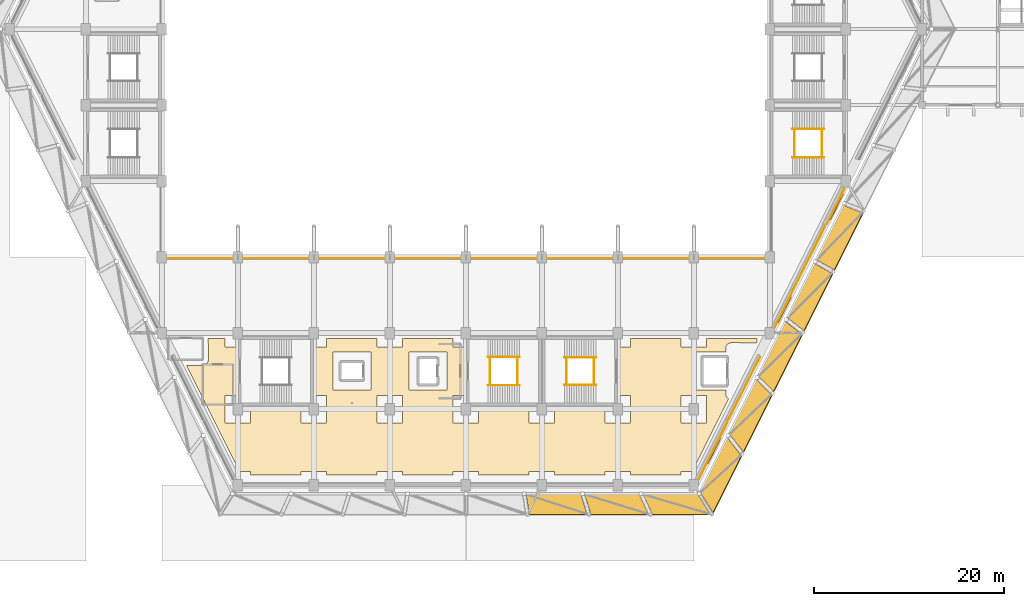
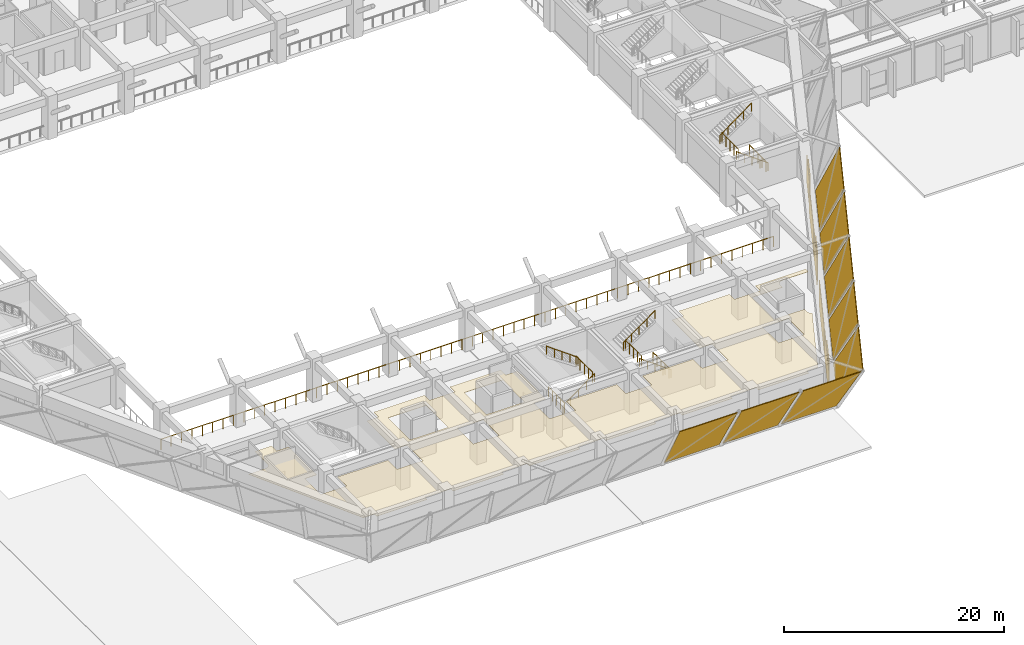
# One storey, part 42 of 46: 14 coverings, 13 railings, 3 shading devices.
"""IFC4 building model written with IfcOpenShell, lengths in metres."""

from ifc_helpers import new_model, si_unit, direction, frame, origin, origin_2d, place, context, subcontext, project, spatial, polyline, rectangle, circle, outline, extrude, material, layer, layer_set, type_object, element, save


model = new_model("IFC4")

# Units and contexts
model_context = context("Model", 3, precision=1e-05, world=origin(), true_north=direction((0.0, 1.0)))
body_context = subcontext(model_context, "Body", "Model", "MODEL_VIEW")
ifc_project = project(units=[si_unit("LENGTHUNIT", "METRE"), si_unit("AREAUNIT", "SQUARE_METRE"), si_unit("VOLUMEUNIT", "CUBIC_METRE"), si_unit("PLANEANGLEUNIT", "RADIAN"), si_unit("MASSUNIT", "GRAM", prefix="KILO")], contexts=[model_context])

# Site, building, storey
site_placement = place(None, origin())
site = spatial("IfcSite", under=ifc_project, at=site_placement, CompositionType="ELEMENT")
building_placement = place(site_placement, origin())
building = spatial("IfcBuilding", under=site, at=building_placement, Name="Tazarka Park Arena", CompositionType="ELEMENT")
storey_placement = place(building_placement, frame((0.0, 0.0, 10.199951171875)))
storey = spatial("IfcBuildingStorey", under=building, at=storey_placement, Name="L02", CompositionType="ELEMENT", Elevation=10.199951171875)

# Coverings
ifc_material_1 = material(Name="Dark ribbed perforated bronze-charcoal aluminium mesh", Category="aluminium")
ifc_layer_1 = layer(ifc_material_1, 0.06005859375, Name="Dark ribbed perforated bronze-charcoal aluminium mesh")
ifc_layer_set_1 = layer_set([ifc_layer_1], Name="Dark ribbed perforated bronze-charcoal aluminium mesh")
covering_type_1 = type_object("IfcCoveringType", Name="CLD-01", PredefinedType="CLADDING", material=ifc_layer_set_1)
covering_1_placement = place(storey_placement, frame((94.33544921875, 15.10009765625, 0.150146484375), z_axis=(0.0, 0.903917504801, 0.427706844128), x_axis=(1.0, 0.0, 0.0)))
element("IfcCovering", 1, at=covering_1_placement, inside=storey, type_object=covering_type_1, Name="Folded Gem Lower Ribbed Mesh Facet 006", PredefinedType="CLADDING", context=body_context, shape_type="SweptSolid", body=[
    extrude(outline(polyline([(0.0, 0.0), (5.746337890625, 0.0), (6.4150390625, -5.144166717706446), (0.350830078125, -5.144166717706446), (0.0, 0.0)])), origin(), (0.0, 0.0, -1.0), 0.080078125),
])
covering_2_placement = place(storey_placement, frame((100.474609375, 15.10009765625, 0.150146484375), z_axis=(0.0, 0.903917504801, 0.427706844128), x_axis=(1.0, 0.0, 0.0)))
element("IfcCovering", 2, at=covering_2_placement, inside=storey, type_object=covering_type_1, Name="Folded Gem Lower Ribbed Mesh Facet 007", PredefinedType="CLADDING", context=body_context, shape_type="SweptSolid", body=[
    extrude(outline(polyline([(0.0, 0.0), (5.74609375, 0.0), (6.7548828125, -5.144166717706446), (0.690673828125, -5.144166717706446), (0.0, 0.0)])), origin(), (0.0, 0.0, -1.0), 0.080078125),
])
covering_3_placement = place(storey_placement, frame((106.613525390625, 15.10009765625, 0.150146484375), z_axis=(0.0, 0.903917504801, 0.427706844128), x_axis=(1.0, 0.0, 0.0)))
element("IfcCovering", 3, at=covering_3_placement, inside=storey, type_object=covering_type_1, Name="Folded Gem Lower Ribbed Mesh Facet 008", PredefinedType="CLADDING", context=body_context, shape_type="SweptSolid", body=[
    extrude(outline(polyline([(0.0, 0.0), (5.746337890625, 0.0), (7.094970703125, -5.144166717706446), (1.03076171875, -5.144166717706446), (0.0, 0.0)])), origin(), (0.0, 0.0, -1.0), 0.080078125),
])
covering_4_placement = place(storey_placement, frame((112.654052734375, 15.295654296875, 0.150146484375), z_axis=(-0.808506336195, 0.404253168098, 0.427664448388), x_axis=(0.4472135955, 0.894427191, 0.0)))
element("IfcCovering", 4, at=covering_4_placement, inside=storey, type_object=covering_type_1, Name="Folded Gem Lower Ribbed Mesh Facet 009", PredefinedType="CLADDING", context=body_context, shape_type="SweptSolid", body=[
    extrude(outline(polyline([(0.0, 0.0), (6.3964864483313075, 0.0), (5.334354159018908, -5.144052564035382), (-1.3498295120034132, -5.144052564035382), (0.0, 0.0)])), origin(), (0.0, 0.0, -1.0), 0.080078125),
])
covering_5_placement = place(storey_placement, frame((115.710205078125, 21.408203125, 0.150146484375), z_axis=(-0.808499205731, 0.404241167467, 0.427689271384), x_axis=(0.447207495508, 0.894430240964, 3.226851e-06)))
element("IfcCovering", 5, at=covering_5_placement, inside=storey, type_object=covering_type_1, Name="Folded Gem Lower Ribbed Mesh Facet 010", PredefinedType="CLADDING", context=body_context, shape_type="SweptSolid", body=[
    extrude(outline(polyline([(0.0, 0.0), (6.396486448149249, 0.0), (5.642031872099142, -5.144099258496368), (-1.0423701654909792, -5.144145954896959), (0.0, 0.0)])), origin(), (0.0, 0.0, -1.0), 0.080078125),
])
covering_6_placement = place(storey_placement, frame((118.7666015625, 27.5205078125, 0.150146484375), z_axis=(-0.808506336195, 0.404253168098, 0.427664448388), x_axis=(0.447210803265, 0.894428587087, -6.598426e-06)))
element("IfcCovering", 6, at=covering_6_placement, inside=storey, type_object=covering_type_1, Name="Folded Gem Lower Ribbed Mesh Facet 011", PredefinedType="CLADDING", context=body_context, shape_type="SweptSolid", body=[
    extrude(outline(polyline([(0.0, 0.0), (6.39670481451516, -2.220446049250313e-16), (5.949562851922514, -5.144095993884062), (-0.7349483676010086, -5.144000505618074), (0.0, 0.0)])), origin(), (0.0, 0.0, -1.0), 0.080078125),
])
covering_7_placement = place(storey_placement, frame((121.82275390625, 33.633056640625, 0.150146484375), z_axis=(-0.808506063498, 0.404236161161, 0.427681039207), x_axis=(0.447198603137, 0.894434687024, -1.45126e-07)))
element("IfcCovering", 7, at=covering_7_placement, inside=storey, type_object=covering_type_1, Name="Folded Gem Lower Ribbed Mesh Facet 012", PredefinedType="CLADDING", context=body_context, shape_type="SweptSolid", body=[
    extrude(outline(polyline([(0.0, 0.0), (6.39670481527617, 0.0), (6.256913015069454, -5.144098238337329), (-0.4274890228573095, -5.144096138167544), (0.0, 0.0)])), origin(), (0.0, 0.0, -1.0), 0.080078125),
])
covering_8_placement = place(storey_placement, frame((124.87890625, 39.74560546875, 0.150146484375), z_axis=(-0.80849196679, 0.404254418718, 0.427690430782), x_axis=(0.44722528058, 0.894421348309, 9.970868e-06)))
element("IfcCovering", 8, at=covering_8_placement, inside=storey, type_object=covering_type_1, Name="Folded Gem Lower Ribbed Mesh Facet 013", PredefinedType="CLADDING", context=body_context, shape_type="SweptSolid", body=[
    extrude(outline(polyline([(0.0, 0.0), (6.39659563332699, 0.0), (6.564485018893392, -5.144050111201226), (-0.11991701581323079, -5.144194402880329), (0.0, 0.0)])), origin(), (0.0, 0.0, -1.0), 0.080078125),
])
covering_9_placement = place(storey_placement, frame((126.92236328125, 45.319091796875, 0.0), z_axis=(0.0, 0.0, 1.0), x_axis=(-0.447290848419, -0.89438856037, 0.0)))
element("IfcCovering", 9, at=covering_9_placement, inside=storey, type_object=covering_type_1, Name="Ribbed Metal Mesh Cladding EW-L02-0255", PredefinedType="CLADDING", context=body_context, shape_type="SweptSolid", body=[
    extrude(rectangle(XDim=4.16259765625, YDim=0.06005859375, at=origin_2d()), origin(), (0.0, 0.0, 1.0), 3.0),
])
covering_10_placement = place(storey_placement, frame((124.152099609375, 39.924072265625, 0.0), z_axis=(0.0, 0.0, 1.0), x_axis=(-0.447290848419, -0.89438856037, 0.0)))
element("IfcCovering", 10, at=covering_10_placement, inside=storey, type_object=covering_type_1, Name="Ribbed Metal Mesh Cladding EW-L02-0256", PredefinedType="CLADDING", context=body_context, shape_type="SweptSolid", body=[
    extrude(rectangle(XDim=7.36669921875, YDim=0.06005859375, at=origin_2d()), origin(), (0.0, 0.0, 1.0), 3.0),
])
covering_11_placement = place(storey_placement, frame((121.44873046875, 34.4951171875, 0.0), z_axis=(0.0, 0.0, 1.0), x_axis=(-0.447290848419, -0.89438856037, 0.0)))
element("IfcCovering", 11, at=covering_11_placement, inside=storey, type_object=covering_type_1, Name="Ribbed Metal Mesh Cladding EW-L02-0257", PredefinedType="CLADDING", context=body_context, shape_type="SweptSolid", body=[
    extrude(rectangle(XDim=4.16259765625, YDim=0.06005859375, at=origin_2d()), origin(), (0.0, 0.0, 1.0), 3.0),
])
covering_12_placement = place(storey_placement, frame((117.312744140625, 26.20068359375, 0.0), z_axis=(0.0, 0.0, 1.0), x_axis=(-0.447290848419, -0.89438856037, 0.0)))
element("IfcCovering", 12, at=covering_12_placement, inside=storey, type_object=covering_type_1, Name="Ribbed Metal Mesh Cladding EW-L02-0258", PredefinedType="CLADDING", context=body_context, shape_type="SweptSolid", body=[
    extrude(rectangle(XDim=7.366455078125, YDim=0.06005859375, at=origin_2d()), origin(), (0.0, 0.0, 1.0), 3.0),
])
covering_13_placement = place(storey_placement, frame((114.0380859375, 19.629150390625, 0.0), z_axis=(0.0, 0.0, 1.0), x_axis=(-0.447290848419, -0.89438856037, 0.0)))
element("IfcCovering", 13, at=covering_13_placement, inside=storey, type_object=covering_type_1, Name="Ribbed Metal Mesh Cladding EW-L02-0259", PredefinedType="CLADDING", context=body_context, shape_type="SweptSolid", body=[
    extrude(rectangle(XDim=6.718017578125, YDim=0.06005859375, at=origin_2d()), origin(), (0.0, 0.0, 1.0), 3.0),
])
ifc_material_2 = material(Name="Perforated acoustic mineral-wool ceiling tile")
ifc_layer_2 = layer(ifc_material_2, 0.0400390625, Name="Perforated acoustic mineral-wool ceiling tile")
ifc_layer_set_2 = layer_set([ifc_layer_2], Name="Perforated acoustic mineral-wool ceiling tile")
covering_type_2 = type_object("IfcCoveringType", Name="CLG-01", PredefinedType="CEILING", material=ifc_layer_set_2)
covering_14_placement = place(storey_placement, frame((0.0, 0.0, 3.10009765625)))
element("IfcCovering", 14, at=covering_14_placement, inside=storey, type_object=covering_type_2, Name="Acoustic Ceiling South Parkside VIP Hospitality Suites 9", PredefinedType="CEILING", context=body_context, shape_type="SweptSolid", body=[
    extrude(outline(polyline([(62.64990234375, 31.449951171875), (62.64990234375, 30.550048828125), (63.89990234375, 30.550048828125), (63.89990234375, 25.449951171875), (62.64990234375, 25.449951171875), (62.64990234375, 22.550048828125), (65.35009765625, 22.550048828125), (65.35009765625, 24.199951171875), (70.64990234375, 24.199951171875), (70.64990234375, 22.550048828125), (73.35009765625, 22.550048828125), (73.35009765625, 25.449951171875), (72.10009765625, 25.449951171875), (72.10009765625, 30.550048828125), (73.35009765625, 30.550048828125), (73.35009765625, 31.449951171875), (78.64990234375, 31.449951171875), (78.64990234375, 30.550048828125), (81.35009765625, 30.550048828125), (81.35009765625, 31.449951171875), (86.64990234375, 31.449951171875), (86.64990234375, 30.550048828125), (87.89990234375, 30.550048828125), (87.89990234375, 25.449951171875), (86.64990234375, 25.449951171875), (86.64990234375, 22.550048828125), (89.35009765625, 22.550048828125), (89.35009765625, 24.199951171875), (94.64990234375, 24.199951171875), (94.64990234375, 22.550048828125), (97.35009765625, 22.550048828125), (97.35009765625, 24.199951171875), (102.64990234375, 24.199951171875), (102.64990234375, 22.550048828125), (105.35009765625, 22.550048828125), (105.35009765625, 25.449951171875), (104.10009765625, 25.449951171875), (104.10009765625, 30.550048828125), (105.35009765625, 30.550048828125), (105.35009765625, 31.449951171875), (110.64990234375, 31.449951171875), (110.64990234375, 30.550048828125), (113.35009765625, 30.550048828125), (113.35009765625, 31.449951171875), (118.64990234375, 31.449951171875), (118.64990234375, 31.0888671875), (118.59375, 30.9765625), (115.952392578125, 30.989990234375), (115.91162109375, 30.98828125), (115.87109375, 30.98291015625), (115.8310546875, 30.97412109375), (115.792236328125, 30.96142578125), (115.754638671875, 30.9453125), (115.71875, 30.926025390625), (115.59521484375, 30.85205078125), (115.556884765625, 30.826171875), (115.521240234375, 30.796630859375), (115.489013671875, 30.763671875), (115.460205078125, 30.727294921875), (115.435302734375, 30.6884765625), (115.41455078125, 30.647216796875), (115.398193359375, 30.60400390625), (115.38623046875, 30.559326171875), (115.37890625, 30.513671875), (115.37646484375, 30.467529296875), (115.375, 30.0), (112.199951171875, 30.0), (112.199951171875, 26.0), (115.362060546875, 26.0), (115.360595703125, 25.587890625), (115.36279296875, 25.543212890625), (115.369140625, 25.499267578125), (115.3798828125, 25.4560546875), (115.39501953125, 25.4140625), (115.426025390625, 25.339111328125), (115.44677734375, 25.2958984375), (115.4716796875, 25.255126953125), (115.5009765625, 25.21728515625), (115.5341796875, 25.182861328125), (115.57080078125, 25.152099609375), (115.6103515625, 25.125244140625), (115.65478515625, 25.0986328125), (111.83056640625, 17.449951171875), (110.64990234375, 17.449951171875), (110.64990234375, 17.050048828125), (105.35009765625, 17.050048828125), (105.35009765625, 17.449951171875), (102.64990234375, 17.449951171875), (102.64990234375, 17.050048828125), (97.35009765625, 17.050048828125), (97.35009765625, 17.449951171875), (94.64990234375, 17.449951171875), (94.64990234375, 17.050048828125), (89.35009765625, 17.050048828125), (89.35009765625, 17.449951171875), (86.64990234375, 17.449951171875), (86.64990234375, 17.050048828125), (81.35009765625, 17.050048828125), (81.35009765625, 17.449951171875), (78.64990234375, 17.449951171875), (78.64990234375, 17.050048828125), (73.35009765625, 17.050048828125), (73.35009765625, 17.449951171875), (70.64990234375, 17.449951171875), (70.64990234375, 17.050048828125), (65.35009765625, 17.050048828125), (65.35009765625, 17.449951171875), (64.16943359375, 17.449951171875), (58.58935546875, 28.610107421875), (60.300048828125, 28.610107421875), (60.343994140625, 28.6123046875), (60.3876953125, 28.61865234375), (60.4306640625, 28.62939453125), (60.47216796875, 28.644287109375), (60.5712890625, 28.685302734375), (60.611083984375, 28.7041015625), (60.64892578125, 28.726806640625), (60.6845703125, 28.753173828125), (60.71728515625, 28.78271484375), (60.746826171875, 28.8154296875), (60.773193359375, 28.85107421875), (60.7958984375, 28.888916015625), (60.814697265625, 28.9287109375), (60.855712890625, 29.02783203125), (60.870849609375, 29.070068359375), (60.881591796875, 29.11376953125), (60.88818359375, 29.158203125), (60.889892578125, 29.203125), (60.874267578125, 31.449951171875), (62.64990234375, 31.449951171875)]), holes=[polyline([(81.35009765625, 25.449951171875), (78.64990234375, 25.449951171875), (78.64990234375, 22.550048828125), (81.35009765625, 22.550048828125), (81.35009765625, 25.449951171875)]), polyline([(86.0, 30.0), (82.0, 30.0), (82.0, 26.0), (86.0, 26.0), (86.0, 30.0)]), polyline([(74.0, 30.0), (74.0, 26.0), (78.0, 26.0), (78.0, 30.0), (74.0, 30.0)]), polyline([(113.35009765625, 25.449951171875), (110.64990234375, 25.449951171875), (110.64990234375, 22.550048828125), (113.35009765625, 22.550048828125), (113.35009765625, 25.449951171875)])]), origin(), (0.0, 0.0, 1.0), 0.0400390625),
])

# Railings
ifc_material_3 = material(Name="Brushed architectural stainless steel", Category="steel")
railing_type_1 = type_object("IfcRailingType", Name="HR-01", PredefinedType="HANDRAIL", material=ifc_material_3)
railing_1_placement = place(storey_placement, frame((101.68505859375, 26.550048828125, 0.0)))
element("IfcRailing", 15, at=railing_1_placement, inside=storey, type_object=railing_type_1, Name="Stair Handrail ST11-L02-F1", PredefinedType="HANDRAIL", context=body_context, shape_type="SweptSolid", body=[
    extrude(circle(Radius=0.02392578125, at=origin_2d()), frame((0.0, 0.0, 0.89599609375), z_axis=(-0.809980229442, 0.0, 0.586457183359), x_axis=(0.0, -1.0, 0.0)), (0.0, 0.0, 1.0), 4.092529296875),
    extrude(circle(Radius=0.02099609375, at=origin_2d()), origin(), (0.0, 0.0, 1.0), 0.871826171875),
    extrude(circle(Radius=0.02099609375, at=origin_2d()), frame((-0.82861328125, 0.0, 0.60009765625)), (0.0, 0.0, 1.0), 0.871826171875),
    extrude(circle(Radius=0.02099609375, at=origin_2d()), frame((-1.657470703125, 0.0, 1.2001953125)), (0.0, 0.0, 1.0), 0.871826171875),
    extrude(circle(Radius=0.02099609375, at=origin_2d()), frame((-2.486328125, 0.0, 1.800048828125)), (0.0, 0.0, 1.0), 0.871826171875),
    extrude(circle(Radius=0.02099609375, at=origin_2d()), frame((-3.31494140625, 0.0, 2.400146484375)), (0.0, 0.0, 1.0), 0.871826171875),
])
railing_2_placement = place(storey_placement, frame((98.3701171875, 29.449951171875, 2.400146484375)))
element("IfcRailing", 16, at=railing_2_placement, inside=storey, type_object=railing_type_1, Name="Stair Handrail ST11-L02-F2", PredefinedType="HANDRAIL", context=body_context, shape_type="SweptSolid", body=[
    extrude(circle(Radius=0.02392578125, at=origin_2d()), frame((0.0, 0.0, 0.89599609375), z_axis=(0.810008566192, 0.0, 0.586418044312), x_axis=(0.0, 1.0, 0.0)), (0.0, 0.0, 1.0), 4.092529296875),
    extrude(circle(Radius=0.02099609375, at=origin_2d()), origin(), (0.0, 0.0, 1.0), 0.871826171875),
    extrude(circle(Radius=0.02099609375, at=origin_2d()), frame((0.82861328125, 0.0, 0.60009765625)), (0.0, 0.0, 1.0), 0.871826171875),
    extrude(circle(Radius=0.02099609375, at=origin_2d()), frame((1.657470703125, 0.0, 1.199951171875)), (0.0, 0.0, 1.0), 0.871826171875),
    extrude(circle(Radius=0.02099609375, at=origin_2d()), frame((2.486328125, 0.0, 1.7998046875)), (0.0, 0.0, 1.0), 0.871826171875),
    extrude(circle(Radius=0.02099609375, at=origin_2d()), frame((3.31494140625, 0.0, 2.39990234375)), (0.0, 0.0, 1.0), 0.871826171875),
])
railing_3_placement = place(storey_placement, frame((125.68505859375, 50.510009765625, 0.0)))
element("IfcRailing", 17, at=railing_3_placement, inside=storey, type_object=railing_type_1, Name="Stair Handrail ST21-L02-F1", PredefinedType="HANDRAIL", context=body_context, shape_type="SweptSolid", body=[
    extrude(circle(Radius=0.02392578125, at=origin_2d()), frame((0.0, 0.0, 0.89599609375), z_axis=(-0.809980229442, 0.0, 0.586457183359), x_axis=(0.0, -1.0, 0.0)), (0.0, 0.0, 1.0), 4.092529296875),
    extrude(circle(Radius=0.02099609375, at=origin_2d()), origin(), (0.0, 0.0, 1.0), 0.871826171875),
    extrude(circle(Radius=0.02099609375, at=origin_2d()), frame((-0.82861328125, 0.0, 0.60009765625)), (0.0, 0.0, 1.0), 0.871826171875),
    extrude(circle(Radius=0.02099609375, at=origin_2d()), frame((-1.657470703125, 0.0, 1.2001953125)), (0.0, 0.0, 1.0), 0.871826171875),
    extrude(circle(Radius=0.02099609375, at=origin_2d()), frame((-2.486328125, 0.0, 1.800048828125)), (0.0, 0.0, 1.0), 0.871826171875),
    extrude(circle(Radius=0.02099609375, at=origin_2d()), frame((-3.31494140625, 0.0, 2.400146484375)), (0.0, 0.0, 1.0), 0.871826171875),
])
railing_4_placement = place(storey_placement, frame((122.3701171875, 53.489990234375, 2.400146484375)))
element("IfcRailing", 18, at=railing_4_placement, inside=storey, type_object=railing_type_1, Name="Stair Handrail ST21-L02-F2", PredefinedType="HANDRAIL", context=body_context, shape_type="SweptSolid", body=[
    extrude(circle(Radius=0.02392578125, at=origin_2d()), frame((0.0, 0.0, 0.89599609375), z_axis=(0.810008566192, 0.0, 0.586418044312), x_axis=(0.0, 1.0, 0.0)), (0.0, 0.0, 1.0), 4.092529296875),
    extrude(circle(Radius=0.02099609375, at=origin_2d()), origin(), (0.0, 0.0, 1.0), 0.871826171875),
    extrude(circle(Radius=0.02099609375, at=origin_2d()), frame((0.82861328125, 0.0, 0.60009765625)), (0.0, 0.0, 1.0), 0.871826171875),
    extrude(circle(Radius=0.02099609375, at=origin_2d()), frame((1.657470703125, 0.0, 1.199951171875)), (0.0, 0.0, 1.0), 0.871826171875),
    extrude(circle(Radius=0.02099609375, at=origin_2d()), frame((2.486328125, 0.0, 1.7998046875)), (0.0, 0.0, 1.0), 0.871826171875),
    extrude(circle(Radius=0.02099609375, at=origin_2d()), frame((3.31494140625, 0.0, 2.39990234375)), (0.0, 0.0, 1.0), 0.871826171875),
])
railing_5_placement = place(storey_placement, frame((90.31494140625, 26.510009765625, 0.0)))
element("IfcRailing", 19, at=railing_5_placement, inside=storey, type_object=railing_type_1, Name="Stair Handrail ST23-L02-F1", PredefinedType="HANDRAIL", context=body_context, shape_type="SweptSolid", body=[
    extrude(circle(Radius=0.02392578125, at=origin_2d()), frame((0.0, 0.0, 0.89599609375), z_axis=(0.809980229442, 0.0, 0.586457183359), x_axis=(0.0, 1.0, 0.0)), (0.0, 0.0, 1.0), 4.092529296875),
    extrude(circle(Radius=0.02099609375, at=origin_2d()), origin(), (0.0, 0.0, 1.0), 0.871826171875),
    extrude(circle(Radius=0.02099609375, at=origin_2d()), frame((0.82861328125, 0.0, 0.60009765625)), (0.0, 0.0, 1.0), 0.871826171875),
    extrude(circle(Radius=0.02099609375, at=origin_2d()), frame((1.657470703125, 0.0, 1.2001953125)), (0.0, 0.0, 1.0), 0.871826171875),
    extrude(circle(Radius=0.02099609375, at=origin_2d()), frame((2.486328125, 0.0, 1.800048828125)), (0.0, 0.0, 1.0), 0.871826171875),
    extrude(circle(Radius=0.02099609375, at=origin_2d()), frame((3.31494140625, 0.0, 2.400146484375)), (0.0, 0.0, 1.0), 0.871826171875),
])
railing_6_placement = place(storey_placement, frame((93.6298828125, 29.489990234375, 2.400146484375)))
element("IfcRailing", 20, at=railing_6_placement, inside=storey, type_object=railing_type_1, Name="Stair Handrail ST23-L02-F2", PredefinedType="HANDRAIL", context=body_context, shape_type="SweptSolid", body=[
    extrude(circle(Radius=0.02392578125, at=origin_2d()), frame((0.0, 0.0, 0.89599609375), z_axis=(-0.810008566192, 0.0, 0.586418044312), x_axis=(0.0, -1.0, 0.0)), (0.0, 0.0, 1.0), 4.092529296875),
    extrude(circle(Radius=0.02099609375, at=origin_2d()), origin(), (0.0, 0.0, 1.0), 0.871826171875),
    extrude(circle(Radius=0.02099609375, at=origin_2d()), frame((-0.82861328125, 0.0, 0.60009765625)), (0.0, 0.0, 1.0), 0.871826171875),
    extrude(circle(Radius=0.02099609375, at=origin_2d()), frame((-1.657470703125, 0.0, 1.199951171875)), (0.0, 0.0, 1.0), 0.871826171875),
    extrude(circle(Radius=0.02099609375, at=origin_2d()), frame((-2.486328125, 0.0, 1.7998046875)), (0.0, 0.0, 1.0), 0.871826171875),
    extrude(circle(Radius=0.02099609375, at=origin_2d()), frame((-3.31494140625, 0.0, 2.39990234375)), (0.0, 0.0, 1.0), 0.871826171875),
])
ifc_material_4 = material(Name="Galvanised powder-coated architectural steel", Category="steel")
railing_type_2 = type_object("IfcRailingType", Name="IGR-01", PredefinedType="GUARDRAIL", material=ifc_material_4)
for number, where, name in (
    (21, (101.485107421875, 26.550048828125, 0.0), "Stair Well Guardrail ST11-L02"),
    (22, (98.570068359375, 26.550048828125, 2.400146484375), "Landing Guardrail ST11-L02-M"),
):
    element("IfcRailing", number, at=place(storey_placement, frame(where)), inside=storey, type_object=railing_type_2, Name=name, PredefinedType="GUARDRAIL", context=body_context, shape_type="SweptSolid", body=[
        extrude(circle(Radius=0.02392578125, at=origin_2d()), frame((0.0, 0.0, 1.1259765625), z_axis=(0.0, 1.0, 0.0), x_axis=(-1.0, 0.0, 0.0)), (0.0, 0.0, 1.0), 2.89990234375),
        extrude(circle(Radius=0.02099609375, at=origin_2d()), origin(), (0.0, 0.0, 1.0), 1.101806640625),
        extrude(circle(Radius=0.02099609375, at=origin_2d()), frame((0.0, 0.72509765625, 0.0)), (0.0, 0.0, 1.0), 1.101806640625),
        extrude(circle(Radius=0.02099609375, at=origin_2d()), frame((0.0, 1.449951171875, 0.0)), (0.0, 0.0, 1.0), 1.101806640625),
        extrude(circle(Radius=0.02099609375, at=origin_2d()), frame((0.0, 2.1748046875, 0.0)), (0.0, 0.0, 1.0), 1.101806640625),
        extrude(circle(Radius=0.02099609375, at=origin_2d()), frame((0.0, 2.89990234375, 0.0)), (0.0, 0.0, 1.0), 1.101806640625),
    ])
for number, where, name in (
    (23, (125.485107421875, 50.510009765625, 0.0), "Stair Well Guardrail ST21-L02"),
    (24, (122.570068359375, 50.510009765625, 2.400146484375), "Landing Guardrail ST21-L02-M"),
    (25, (90.514892578125, 26.510009765625, 0.0), "Stair Well Guardrail ST23-L02"),
    (26, (93.429931640625, 26.510009765625, 2.400146484375), "Landing Guardrail ST23-L02-M"),
):
    element("IfcRailing", number, at=place(storey_placement, frame(where)), inside=storey, type_object=railing_type_2, Name=name, PredefinedType="GUARDRAIL", context=body_context, shape_type="SweptSolid", body=[
        extrude(circle(Radius=0.02392578125, at=origin_2d()), frame((0.0, 0.0, 1.1259765625), z_axis=(0.0, 1.0, 0.0), x_axis=(-1.0, 0.0, 0.0)), (0.0, 0.0, 1.0), 2.97998046875),
        extrude(circle(Radius=0.02099609375, at=origin_2d()), origin(), (0.0, 0.0, 1.0), 1.101806640625),
        extrude(circle(Radius=0.02099609375, at=origin_2d()), frame((0.0, 0.7451171875, 0.0)), (0.0, 0.0, 1.0), 1.101806640625),
        extrude(circle(Radius=0.02099609375, at=origin_2d()), frame((0.0, 1.489990234375, 0.0)), (0.0, 0.0, 1.0), 1.101806640625),
        extrude(circle(Radius=0.02099609375, at=origin_2d()), frame((0.0, 2.23486328125, 0.0)), (0.0, 0.0, 1.0), 1.101806640625),
        extrude(circle(Radius=0.02099609375, at=origin_2d()), frame((0.0, 2.97998046875, 0.0)), (0.0, 0.0, 1.0), 1.101806640625),
    ])
railing_7_placement = place(storey_placement, frame((55.8798828125, 39.8798828125, 0.0)))
element("IfcRailing", 27, at=railing_7_placement, inside=storey, type_object=railing_type_2, Name="Interior Barrier Guardrail IGR-01-007", PredefinedType="GUARDRAIL", context=body_context, shape_type="SweptSolid", body=[
    extrude(circle(Radius=0.02392578125, at=origin_2d()), frame((0.0, 0.0, 1.1259765625), z_axis=(1.0, 0.0, 0.0), x_axis=(0.0, 1.0, 0.0)), (0.0, 0.0, 1.0), 64.240234375),
    extrude(circle(Radius=0.02099609375, at=origin_2d()), origin(), (0.0, 0.0, 1.0), 1.101806640625),
    extrude(circle(Radius=0.02099609375, at=origin_2d()), frame((1.0888671875, 0.0, 0.0)), (0.0, 0.0, 1.0), 1.101806640625),
    extrude(circle(Radius=0.02099609375, at=origin_2d()), frame((2.177734375, 0.0, 0.0)), (0.0, 0.0, 1.0), 1.101806640625),
    extrude(circle(Radius=0.02099609375, at=origin_2d()), frame((3.266357421875, 0.0, 0.0)), (0.0, 0.0, 1.0), 1.101806640625),
    extrude(circle(Radius=0.02099609375, at=origin_2d()), frame((4.355224609375, 0.0, 0.0)), (0.0, 0.0, 1.0), 1.101806640625),
    extrude(circle(Radius=0.02099609375, at=origin_2d()), frame((5.444091796875, 0.0, 0.0)), (0.0, 0.0, 1.0), 1.101806640625),
    extrude(circle(Radius=0.02099609375, at=origin_2d()), frame((6.532958984375, 0.0, 0.0)), (0.0, 0.0, 1.0), 1.101806640625),
    extrude(circle(Radius=0.02099609375, at=origin_2d()), frame((7.621826171875, 0.0, 0.0)), (0.0, 0.0, 1.0), 1.101806640625),
    extrude(circle(Radius=0.02099609375, at=origin_2d()), frame((8.71044921875, 0.0, 0.0)), (0.0, 0.0, 1.0), 1.101806640625),
    extrude(circle(Radius=0.02099609375, at=origin_2d()), frame((9.79931640625, 0.0, 0.0)), (0.0, 0.0, 1.0), 1.101806640625),
    extrude(circle(Radius=0.02099609375, at=origin_2d()), frame((10.88818359375, 0.0, 0.0)), (0.0, 0.0, 1.0), 1.101806640625),
    extrude(circle(Radius=0.02099609375, at=origin_2d()), frame((11.97705078125, 0.0, 0.0)), (0.0, 0.0, 1.0), 1.101806640625),
    extrude(circle(Radius=0.02099609375, at=origin_2d()), frame((13.06591796875, 0.0, 0.0)), (0.0, 0.0, 1.0), 1.101806640625),
    extrude(circle(Radius=0.02099609375, at=origin_2d()), frame((14.154541015625, 0.0, 0.0)), (0.0, 0.0, 1.0), 1.101806640625),
    extrude(circle(Radius=0.02099609375, at=origin_2d()), frame((15.243408203125, 0.0, 0.0)), (0.0, 0.0, 1.0), 1.101806640625),
    extrude(circle(Radius=0.02099609375, at=origin_2d()), frame((16.332275390625, 0.0, 0.0)), (0.0, 0.0, 1.0), 1.101806640625),
    extrude(circle(Radius=0.02099609375, at=origin_2d()), frame((17.421142578125, 0.0, 0.0)), (0.0, 0.0, 1.0), 1.101806640625),
    extrude(circle(Radius=0.02099609375, at=origin_2d()), frame((18.510009765625, 0.0, 0.0)), (0.0, 0.0, 1.0), 1.101806640625),
    extrude(circle(Radius=0.02099609375, at=origin_2d()), frame((19.5986328125, 0.0, 0.0)), (0.0, 0.0, 1.0), 1.101806640625),
    extrude(circle(Radius=0.02099609375, at=origin_2d()), frame((20.6875, 0.0, 0.0)), (0.0, 0.0, 1.0), 1.101806640625),
    extrude(circle(Radius=0.02099609375, at=origin_2d()), frame((21.7763671875, 0.0, 0.0)), (0.0, 0.0, 1.0), 1.101806640625),
    extrude(circle(Radius=0.02099609375, at=origin_2d()), frame((22.865234375, 0.0, 0.0)), (0.0, 0.0, 1.0), 1.101806640625),
    extrude(circle(Radius=0.02099609375, at=origin_2d()), frame((23.9541015625, 0.0, 0.0)), (0.0, 0.0, 1.0), 1.101806640625),
    extrude(circle(Radius=0.02099609375, at=origin_2d()), frame((25.042724609375, 0.0, 0.0)), (0.0, 0.0, 1.0), 1.101806640625),
    extrude(circle(Radius=0.02099609375, at=origin_2d()), frame((26.131591796875, 0.0, 0.0)), (0.0, 0.0, 1.0), 1.101806640625),
    extrude(circle(Radius=0.02099609375, at=origin_2d()), frame((27.220458984375, 0.0, 0.0)), (0.0, 0.0, 1.0), 1.101806640625),
    extrude(circle(Radius=0.02099609375, at=origin_2d()), frame((28.309326171875, 0.0, 0.0)), (0.0, 0.0, 1.0), 1.101806640625),
    extrude(circle(Radius=0.02099609375, at=origin_2d()), frame((29.398193359375, 0.0, 0.0)), (0.0, 0.0, 1.0), 1.101806640625),
    extrude(circle(Radius=0.02099609375, at=origin_2d()), frame((30.48681640625, 0.0, 0.0)), (0.0, 0.0, 1.0), 1.101806640625),
    extrude(circle(Radius=0.02099609375, at=origin_2d()), frame((31.57568359375, 0.0, 0.0)), (0.0, 0.0, 1.0), 1.101806640625),
    extrude(circle(Radius=0.02099609375, at=origin_2d()), frame((32.66455078125, 0.0, 0.0)), (0.0, 0.0, 1.0), 1.101806640625),
    extrude(circle(Radius=0.02099609375, at=origin_2d()), frame((33.75341796875, 0.0, 0.0)), (0.0, 0.0, 1.0), 1.101806640625),
    extrude(circle(Radius=0.02099609375, at=origin_2d()), frame((34.842041015625, 0.0, 0.0)), (0.0, 0.0, 1.0), 1.101806640625),
    extrude(circle(Radius=0.02099609375, at=origin_2d()), frame((35.930908203125, 0.0, 0.0)), (0.0, 0.0, 1.0), 1.101806640625),
    extrude(circle(Radius=0.02099609375, at=origin_2d()), frame((37.019775390625, 0.0, 0.0)), (0.0, 0.0, 1.0), 1.101806640625),
    extrude(circle(Radius=0.02099609375, at=origin_2d()), frame((38.108642578125, 0.0, 0.0)), (0.0, 0.0, 1.0), 1.101806640625),
    extrude(circle(Radius=0.02099609375, at=origin_2d()), frame((39.197509765625, 0.0, 0.0)), (0.0, 0.0, 1.0), 1.101806640625),
    extrude(circle(Radius=0.02099609375, at=origin_2d()), frame((40.2861328125, 0.0, 0.0)), (0.0, 0.0, 1.0), 1.101806640625),
    extrude(circle(Radius=0.02099609375, at=origin_2d()), frame((41.375, 0.0, 0.0)), (0.0, 0.0, 1.0), 1.101806640625),
    extrude(circle(Radius=0.02099609375, at=origin_2d()), frame((42.4638671875, 0.0, 0.0)), (0.0, 0.0, 1.0), 1.101806640625),
    extrude(circle(Radius=0.02099609375, at=origin_2d()), frame((43.552734375, 0.0, 0.0)), (0.0, 0.0, 1.0), 1.101806640625),
    extrude(circle(Radius=0.02099609375, at=origin_2d()), frame((44.6416015625, 0.0, 0.0)), (0.0, 0.0, 1.0), 1.101806640625),
    extrude(circle(Radius=0.02099609375, at=origin_2d()), frame((45.730224609375, 0.0, 0.0)), (0.0, 0.0, 1.0), 1.101806640625),
    extrude(circle(Radius=0.02099609375, at=origin_2d()), frame((46.819091796875, 0.0, 0.0)), (0.0, 0.0, 1.0), 1.101806640625),
    extrude(circle(Radius=0.02099609375, at=origin_2d()), frame((47.907958984375, 0.0, 0.0)), (0.0, 0.0, 1.0), 1.101806640625),
    extrude(circle(Radius=0.02099609375, at=origin_2d()), frame((48.996826171875, 0.0, 0.0)), (0.0, 0.0, 1.0), 1.101806640625),
    extrude(circle(Radius=0.02099609375, at=origin_2d()), frame((50.085693359375, 0.0, 0.0)), (0.0, 0.0, 1.0), 1.101806640625),
    extrude(circle(Radius=0.02099609375, at=origin_2d()), frame((51.17431640625, 0.0, 0.0)), (0.0, 0.0, 1.0), 1.101806640625),
    extrude(circle(Radius=0.02099609375, at=origin_2d()), frame((52.26318359375, 0.0, 0.0)), (0.0, 0.0, 1.0), 1.101806640625),
    extrude(circle(Radius=0.02099609375, at=origin_2d()), frame((53.35205078125, 0.0, 0.0)), (0.0, 0.0, 1.0), 1.101806640625),
    extrude(circle(Radius=0.02099609375, at=origin_2d()), frame((54.44091796875, 0.0, 0.0)), (0.0, 0.0, 1.0), 1.101806640625),
    extrude(circle(Radius=0.02099609375, at=origin_2d()), frame((55.52978515625, 0.0, 0.0)), (0.0, 0.0, 1.0), 1.101806640625),
    extrude(circle(Radius=0.02099609375, at=origin_2d()), frame((56.618408203125, 0.0, 0.0)), (0.0, 0.0, 1.0), 1.101806640625),
    extrude(circle(Radius=0.02099609375, at=origin_2d()), frame((57.707275390625, 0.0, 0.0)), (0.0, 0.0, 1.0), 1.101806640625),
    extrude(circle(Radius=0.02099609375, at=origin_2d()), frame((58.796142578125, 0.0, 0.0)), (0.0, 0.0, 1.0), 1.101806640625),
    extrude(circle(Radius=0.02099609375, at=origin_2d()), frame((59.885009765625, 0.0, 0.0)), (0.0, 0.0, 1.0), 1.101806640625),
    extrude(circle(Radius=0.02099609375, at=origin_2d()), frame((60.973876953125, 0.0, 0.0)), (0.0, 0.0, 1.0), 1.101806640625),
    extrude(circle(Radius=0.02099609375, at=origin_2d()), frame((62.0625, 0.0, 0.0)), (0.0, 0.0, 1.0), 1.101806640625),
    extrude(circle(Radius=0.02099609375, at=origin_2d()), frame((63.1513671875, 0.0, 0.0)), (0.0, 0.0, 1.0), 1.101806640625),
    extrude(circle(Radius=0.02099609375, at=origin_2d()), frame((64.240234375, 0.0, 0.0)), (0.0, 0.0, 1.0), 1.101806640625),
])

# Shading devices
ifc_material_5 = material(Name="Dark ribbed perforated bronze-charcoal aluminium mesh", Category="aluminium")
shading_device_type = type_object("IfcShadingDeviceType", Name="SHD-02", PredefinedType="JALOUSIE", material=ifc_material_5)
for number, where, z_axis, x_axis, name in (
    (28, (126.97607421875, 45.29248046875, 0.0), (0.0, 0.0, 1.0), (-0.447290848419, -0.89438856037, 0.0), "Perforated Mesh Screen EW-L02-0255"),
    (29, (121.50244140625, 34.468505859375, 0.0), (0.0, 0.0, 1.0), (-0.447290848419, -0.89438856037, 0.0), "Perforated Mesh Screen EW-L02-0257"),
    (30, (114.091796875, 19.602294921875, 0.0), (0.0, 0.0, 1.0), (-0.447290848419, -0.89438856037, 0.0), "Perforated Mesh Screen EW-L02-0259"),
):
    element("IfcShadingDevice", number, at=place(storey_placement, frame(where, z_axis=z_axis, x_axis=x_axis)), inside=storey, type_object=shading_device_type, Name=name, PredefinedType="JALOUSIE", context=body_context, shape_type="SweptSolid", body=[
        extrude(rectangle(XDim=3.0, YDim=0.139892578125, at=origin_2d()), origin(), (0.0, 0.0, 1.0), 3.0),
    ])

save(model, "model.ifc")
